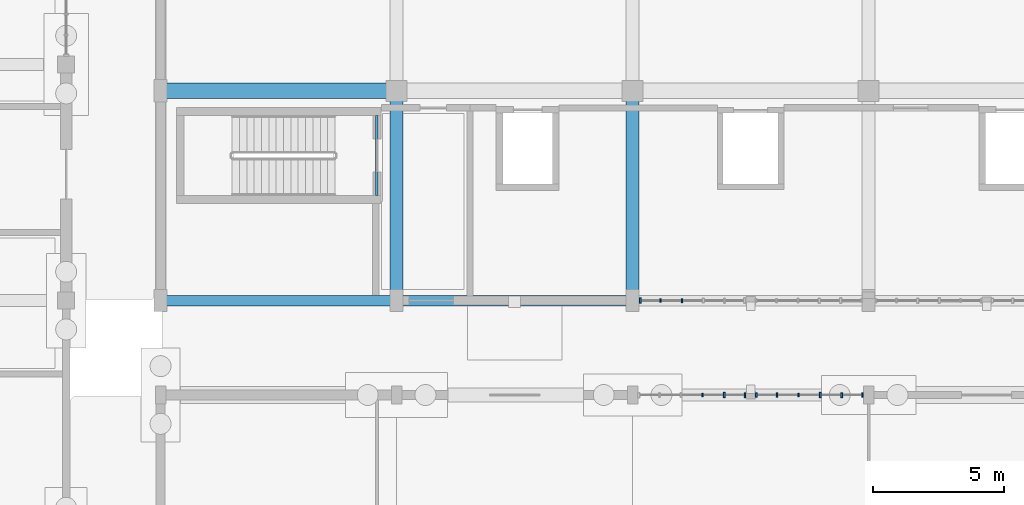
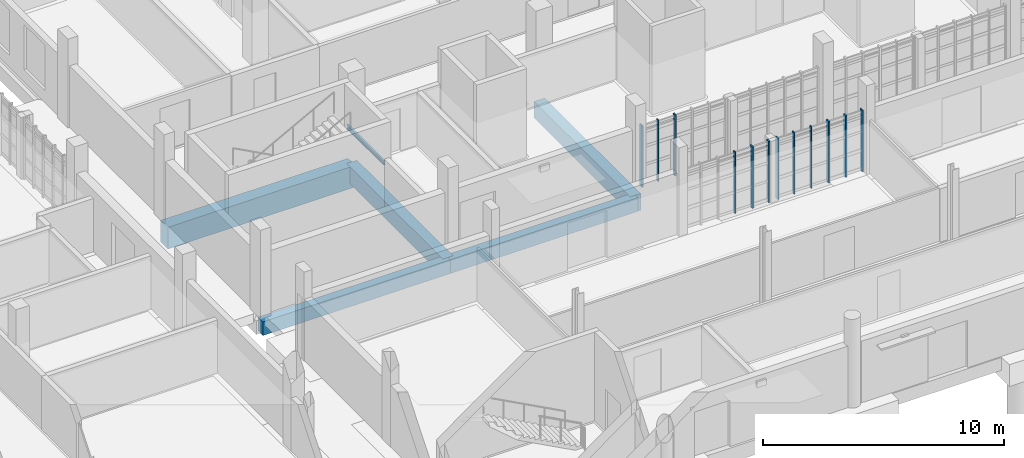
# One storey, part 13 of 63: 12 members, 6 beams, 3 elements without a shape of their own.
"""IFC4 building model written with IfcOpenShell, lengths in metres."""

from ifc_helpers import new_model, si_unit, direction, frame, origin, origin_2d, place, context, subcontext, project, spatial, rectangle, i_section, extrude, material, material_profile, profile_set, type_object, element, aggregate, save


model = new_model("IFC4")

# Units and contexts
model_context = context("Model", 3, precision=1e-05, world=origin(), true_north=direction((0.0, 1.0)))
body_context = subcontext(model_context, "Body", "Model", "MODEL_VIEW")
ifc_project = project(units=[si_unit("LENGTHUNIT", "METRE"), si_unit("AREAUNIT", "SQUARE_METRE"), si_unit("VOLUMEUNIT", "CUBIC_METRE"), si_unit("PLANEANGLEUNIT", "RADIAN"), si_unit("MASSUNIT", "GRAM", prefix="KILO")], contexts=[model_context])

# Site, building, storey
site_placement = place(None, origin())
site = spatial("IfcSite", under=ifc_project, at=site_placement, CompositionType="ELEMENT")
building_placement = place(site_placement, origin())
building = spatial("IfcBuilding", under=site, at=building_placement, Name="Serraforn Aerial Cableway Station", CompositionType="ELEMENT")
storey_placement = place(building_placement, origin())
storey = spatial("IfcBuildingStorey", under=building, at=storey_placement, Name="L00", CompositionType="ELEMENT", Elevation=0.0)

# Beams
ifc_material_1 = material(Name="Concrete C35/45", Category="concrete")
ifc_material_profile_1 = material_profile(ifc_material_1, rectangle(XDim=0.39990234375, YDim=0.699951171875, at=origin_2d()), Name="RC 400x700")
ifc_profile_set_1 = profile_set([ifc_material_profile_1], Name="Concrete C35/45")
beam_type_1 = type_object("IfcBeamType", Name="BM-RC-400x700E", PredefinedType="SPANDREL", material=ifc_profile_set_1)
for number, where, z_axis, x_axis, name in (
    (1, (27.60009765625, 18.0, -0.7099609375), (1.0, 0.0, 0.0), (0.0, 1.0, 0.0), "Grid Girder X CV L00 Y1-1"),
    (2, (36.60009765625, 18.0, -0.7099609375), (1.0, 0.0, 0.0), (0.0, 1.0, 0.0), "Grid Girder X CV L00 Y1-2"),
):
    element("IfcBeam", number, at=place(storey_placement, frame(where, z_axis=z_axis, x_axis=x_axis)), inside=storey, type_object=beam_type_1, Name=name, PredefinedType="SPANDREL", context=body_context, shape_type="SweptSolid", body=[
        extrude(rectangle(XDim=0.39990234375, YDim=0.699951171875, at=origin_2d()), origin(), (0.0, 0.0, 1.0), 9.0),
    ])
ifc_material_profile_2 = material_profile(ifc_material_1, rectangle(XDim=0.5, YDim=0.85009765625, at=origin_2d()), Name="RC 500x850")
ifc_profile_set_2 = profile_set([ifc_material_profile_2], Name="Concrete C35/45")
beam_type_2 = type_object("IfcBeamType", Name="BM-RC-500x850", PredefinedType="USERDEFINED", material=ifc_profile_set_2)
for number, where, z_axis, x_axis, name in (
    (3, (36.60009765625, 18.0, -0.784912109375), (0.0, 1.0, 0.0), (-1.0, 0.0, 0.0), "Grid Girder Y CV L00 X2-1"),
    (4, (45.60009765625, 18.0, -0.784912109375), (0.0, 1.0, 0.0), (-1.0, 0.0, 0.0), "Grid Girder Y CV L00 X3-1"),
):
    element("IfcBeam", number, at=place(storey_placement, frame(where, z_axis=z_axis, x_axis=x_axis)), inside=storey, type_object=beam_type_2, Name=name, ObjectType="GIRDER", PredefinedType="USERDEFINED", context=body_context, shape_type="SweptSolid", body=[
        extrude(rectangle(XDim=0.5, YDim=0.85009765625, at=origin_2d()), origin(), (0.0, 0.0, 1.0), 8.0),
    ])
ifc_material_2 = material(Name="Concrete C40/50", Category="concrete")
ifc_material_profile_3 = material_profile(ifc_material_2, rectangle(XDim=0.60009765625, YDim=1.10009765625, at=origin_2d()), Name="RC 600x1100")
ifc_profile_set_3 = profile_set([ifc_material_profile_3], Name="Concrete C40/50")
beam_type_3 = type_object("IfcBeamType", Name="BM-RC-600x1100", PredefinedType="USERDEFINED", material=ifc_profile_set_3)
beam_1_placement = place(storey_placement, frame((27.60009765625, 26.0, -0.909912109375), z_axis=(1.0, 0.0, 0.0), x_axis=(0.0, 1.0, 0.0)))
element("IfcBeam", 5, at=beam_1_placement, inside=storey, type_object=beam_type_3, Name="Grid Girder X CV L00 Y2-1", ObjectType="GIRDER", PredefinedType="USERDEFINED", context=body_context, shape_type="SweptSolid", body=[
    extrude(rectangle(XDim=0.60009765625, YDim=1.10009765625, at=origin_2d()), origin(), (0.0, 0.0, 1.0), 9.0),
])
ifc_material_3 = material(Name="Steel S355JR", Category="steel")
ifc_material_profile_4 = material_profile(ifc_material_3, i_section(OverallWidth=0.10009765625, OverallDepth=0.199951171875, WebThickness=0.005615234375, FlangeThickness=0.008544921875, FilletRadius=0.011962890625, at=origin_2d()), Name="IPE 200")
ifc_profile_set_4 = profile_set([ifc_material_profile_4], Name="Steel S355JR")
beam_type_4 = type_object("IfcBeamType", Name="BM-ST-IPE200", PredefinedType="LINTEL", material=ifc_profile_set_4)
beam_2_placement = place(storey_placement, frame((35.85009765625, 25.06005859375, 2.27490234375), z_axis=(0.0, -1.0, 0.0), x_axis=(1.0, 0.0, 0.0)))
element("IfcBeam", 6, at=beam_2_placement, inside=storey, type_object=beam_type_4, Name="Stair Core Door Lintel D-S13", PredefinedType="LINTEL", context=body_context, shape_type="SweptSolid", body=[
    extrude(i_section(OverallWidth=0.10009765625, OverallDepth=0.199951171875, WebThickness=0.005615234375, FlangeThickness=0.008544921875, FilletRadius=0.011962890625, at=origin_2d()), origin(), (0.0, 0.0, 1.0), 3.06005859375),
])

# Curtain wall, member
ifc_material_4 = material(Name="Anodised bronze unitised curtain wall")
curtain_wall_type_1 = type_object("IfcCurtainWallType", Name="CW-SYS-19", PredefinedType="USERDEFINED", material=ifc_material_4)
curtain_wall_1_placement = place(storey_placement, origin())
curtain_wall_1 = element("IfcCurtainWall", 7, at=curtain_wall_1_placement, inside=storey, type_object=curtain_wall_type_1, Name="Unitised Curtain Wall CW-CF-L00-N3A", ObjectType="UNITISED CURTAIN WALL", PredefinedType="USERDEFINED")
ifc_material_5 = material(Name="Anodised bronze extruded aluminium", Category="aluminium")
ifc_material_profile_5 = material_profile(ifc_material_5, rectangle(XDim=0.054931640625, YDim=0.139892578125, at=origin_2d()), Name="CW MULLION 55x140")
ifc_profile_set_5 = profile_set([ifc_material_profile_5], Name="Anodised bronze extruded aluminium")
member_type_1 = type_object("IfcMemberType", Name="CW-MUL-1", PredefinedType="MULLION", material=ifc_profile_set_5)
member_1_placement = place(storey_placement, frame((51.9287109375, 14.39990234375, 0.0), z_axis=(0.0, 0.0, 1.0), x_axis=(-1.0, 0.0, 0.0)))
member_1 = element("IfcMember", 8, at=member_1_placement, type_object=member_type_1, Name="Curtain Wall Mullion CW-CF-L00-N3A-M4", PredefinedType="MULLION", context=body_context, shape_type="SweptSolid", body=[
    extrude(rectangle(XDim=0.054931640625, YDim=0.139892578125, at=origin_2d()), origin(), (0.0, 0.0, 1.0), 3.1201171875),
])

curtain_wall_type_2 = type_object("IfcCurtainWallType", Name="CW-SYS-20", PredefinedType="USERDEFINED", material=ifc_material_4)
curtain_wall_2_placement = place(storey_placement, origin())
curtain_wall_2 = element("IfcCurtainWall", 9, at=curtain_wall_2_placement, inside=storey, type_object=curtain_wall_type_2, Name="Unitised Curtain Wall CW-CF-L00-N3B", ObjectType="UNITISED CURTAIN WALL", PredefinedType="USERDEFINED")
member_2_placement = place(storey_placement, frame((48.271240234375, 14.39990234375, 0.0), z_axis=(0.0, 0.0, 1.0), x_axis=(-1.0, 0.0, 0.0)))
member_2 = element("IfcMember", 10, at=member_2_placement, type_object=member_type_1, Name="Curtain Wall Mullion CW-CF-L00-N3B-M3", PredefinedType="MULLION", context=body_context, shape_type="SweptSolid", body=[
    extrude(rectangle(XDim=0.054931640625, YDim=0.139892578125, at=origin_2d()), origin(), (0.0, 0.0, 1.0), 3.1201171875),
])

curtain_wall_type_3 = type_object("IfcCurtainWallType", Name="CW-SYS-3", PredefinedType="USERDEFINED", material=ifc_material_4)
curtain_wall_3_placement = place(storey_placement, origin())
curtain_wall_3 = element("IfcCurtainWall", 11, at=curtain_wall_3_placement, inside=storey, type_object=curtain_wall_type_3, Name="Unitised Curtain Wall CW-CV-L00-S3A", ObjectType="UNITISED CURTAIN WALL", PredefinedType="USERDEFINED")
member_3_placement = place(storey_placement, frame((46.662353515625, 18.0, 0.0), z_axis=(0.0, 0.0, 1.0), x_axis=(1.0, 0.0, 0.0)))
member_3 = element("IfcMember", 12, at=member_3_placement, type_object=member_type_1, Name="Curtain Wall Mullion CW-CV-L00-S3A-M2", PredefinedType="MULLION", context=body_context, shape_type="SweptSolid", body=[
    extrude(rectangle(XDim=0.054931640625, YDim=0.139892578125, at=origin_2d()), origin(), (0.0, 0.0, 1.0), 3.1201171875),
])

# Member
ifc_material_profile_6 = material_profile(ifc_material_5, rectangle(XDim=0.06005859375, YDim=0.159912109375, at=origin_2d()), Name="CW MULLION 60x160")
ifc_profile_set_6 = profile_set([ifc_material_profile_6], Name="Anodised bronze extruded aluminium")
member_type_2 = type_object("IfcMemberType", Name="CW-MUL-2", PredefinedType="MULLION", material=ifc_profile_set_6)
member_4_placement = place(storey_placement, frame((51.1044921875, 14.39990234375, 0.0), z_axis=(0.0, 0.0, 1.0), x_axis=(-1.0, 0.0, 0.0)))
member_4 = element("IfcMember", 13, at=member_4_placement, type_object=member_type_2, Name="Curtain Wall Mullion CW-CF-L00-N3A-M5", PredefinedType="MULLION", context=body_context, shape_type="SweptSolid", body=[
    extrude(rectangle(XDim=0.06005859375, YDim=0.159912109375, at=origin_2d()), origin(), (0.0, 0.0, 1.0), 3.1201171875),
])

member_5_placement = place(storey_placement, frame((47.476806640625, 18.0, 0.0), z_axis=(0.0, 0.0, 1.0), x_axis=(1.0, 0.0, 0.0)))
member_5 = element("IfcMember", 14, at=member_5_placement, type_object=member_type_2, Name="Curtain Wall Mullion CW-CV-L00-S3A-M3", PredefinedType="MULLION", context=body_context, shape_type="SweptSolid", body=[
    extrude(rectangle(XDim=0.06005859375, YDim=0.159912109375, at=origin_2d()), origin(), (0.0, 0.0, 1.0), 3.1201171875),
])

ifc_material_profile_7 = material_profile(ifc_material_5, rectangle(XDim=0.06494140625, YDim=0.175048828125, at=origin_2d()), Name="CW MULLION 65x175")
ifc_profile_set_7 = profile_set([ifc_material_profile_7], Name="Anodised bronze extruded aluminium")
member_type_3 = type_object("IfcMemberType", Name="CW-MUL-3", PredefinedType="MULLION", material=ifc_profile_set_7)
member_6_placement = place(storey_placement, frame((54.369384765625, 14.39990234375, 0.0), z_axis=(0.0, 0.0, 1.0), x_axis=(-1.0, 0.0, 0.0)))
member_6 = element("IfcMember", 15, at=member_6_placement, type_object=member_type_3, Name="Curtain Wall Mullion CW-CF-L00-N3A-M1", PredefinedType="MULLION", context=body_context, shape_type="SweptSolid", body=[
    extrude(rectangle(XDim=0.06494140625, YDim=0.175048828125, at=origin_2d()), origin(), (0.0, 0.0, 1.0), 3.1201171875),
])

member_7_placement = place(storey_placement, frame((50.3125, 14.39990234375, 0.0), z_axis=(0.0, 0.0, 1.0), x_axis=(-1.0, 0.0, 0.0)))
member_7 = element("IfcMember", 16, at=member_7_placement, type_object=member_type_3, Name="Curtain Wall Mullion CW-CF-L00-N3A-M6", PredefinedType="MULLION", context=body_context, shape_type="SweptSolid", body=[
    extrude(rectangle(XDim=0.06494140625, YDim=0.175048828125, at=origin_2d()), origin(), (0.0, 0.0, 1.0), 3.1201171875),
])

ifc_material_profile_8 = material_profile(ifc_material_5, rectangle(XDim=0.070068359375, YDim=0.18994140625, at=origin_2d()), Name="CW MULLION 70x190")
ifc_profile_set_8 = profile_set([ifc_material_profile_8], Name="Anodised bronze extruded aluminium")
member_type_4 = type_object("IfcMemberType", Name="CW-MUL-4", PredefinedType="MULLION", material=ifc_profile_set_8)
member_8_placement = place(storey_placement, frame((53.57763671875, 14.39990234375, 0.0), z_axis=(0.0, 0.0, 1.0), x_axis=(-1.0, 0.0, 0.0)))
member_8 = element("IfcMember", 17, at=member_8_placement, type_object=member_type_4, Name="Curtain Wall Mullion CW-CF-L00-N3A-M2", PredefinedType="MULLION", context=body_context, shape_type="SweptSolid", body=[
    extrude(rectangle(XDim=0.070068359375, YDim=0.18994140625, at=origin_2d()), origin(), (0.0, 0.0, 1.0), 3.1201171875),
])

member_9_placement = place(storey_placement, frame((49.885009765625, 14.39990234375, 0.0), z_axis=(0.0, 0.0, 1.0), x_axis=(-1.0, 0.0, 0.0)))
member_9 = element("IfcMember", 18, at=member_9_placement, type_object=member_type_4, Name="Curtain Wall Mullion CW-CF-L00-N3B-M1", PredefinedType="MULLION", context=body_context, shape_type="SweptSolid", body=[
    extrude(rectangle(XDim=0.070068359375, YDim=0.18994140625, at=origin_2d()), origin(), (0.0, 0.0, 1.0), 3.1201171875),
])

ifc_material_profile_9 = material_profile(ifc_material_5, rectangle(XDim=0.074951171875, YDim=0.199951171875, at=origin_2d()), Name="CW MULLION 75x200")
ifc_profile_set_9 = profile_set([ifc_material_profile_9], Name="Anodised bronze extruded aluminium")
member_type_5 = type_object("IfcMemberType", Name="CW-MUL-5", PredefinedType="MULLION", material=ifc_profile_set_9)
member_10_placement = place(storey_placement, frame((52.753173828125, 14.39990234375, 0.0), z_axis=(0.0, 0.0, 1.0), x_axis=(-1.0, 0.0, 0.0)))
member_10 = element("IfcMember", 19, at=member_10_placement, type_object=member_type_5, Name="Curtain Wall Mullion CW-CF-L00-N3A-M3", PredefinedType="MULLION", context=body_context, shape_type="SweptSolid", body=[
    extrude(rectangle(XDim=0.074951171875, YDim=0.199951171875, at=origin_2d()), origin(), (0.0, 0.0, 1.0), 3.1201171875),
])

aggregate(curtain_wall_1, [member_6, member_8, member_10, member_1, member_4, member_7])

member_11_placement = place(storey_placement, frame((49.095703125, 14.39990234375, 0.0), z_axis=(0.0, 0.0, 1.0), x_axis=(-1.0, 0.0, 0.0)))
member_11 = element("IfcMember", 20, at=member_11_placement, type_object=member_type_5, Name="Curtain Wall Mullion CW-CF-L00-N3B-M2", PredefinedType="MULLION", context=body_context, shape_type="SweptSolid", body=[
    extrude(rectangle(XDim=0.074951171875, YDim=0.199951171875, at=origin_2d()), origin(), (0.0, 0.0, 1.0), 3.1201171875),
])

aggregate(curtain_wall_2, [member_9, member_11, member_2])

member_12_placement = place(storey_placement, frame((45.885498046875, 18.0, 0.0), z_axis=(0.0, 0.0, 1.0), x_axis=(1.0, 0.0, 0.0)))
member_12 = element("IfcMember", 21, at=member_12_placement, type_object=member_type_5, Name="Curtain Wall Mullion CW-CV-L00-S3A-M1", PredefinedType="MULLION", context=body_context, shape_type="SweptSolid", body=[
    extrude(rectangle(XDim=0.074951171875, YDim=0.199951171875, at=origin_2d()), origin(), (0.0, 0.0, 1.0), 3.1201171875),
])

aggregate(curtain_wall_3, [member_12, member_3, member_5])

save(model, "model.ifc")
